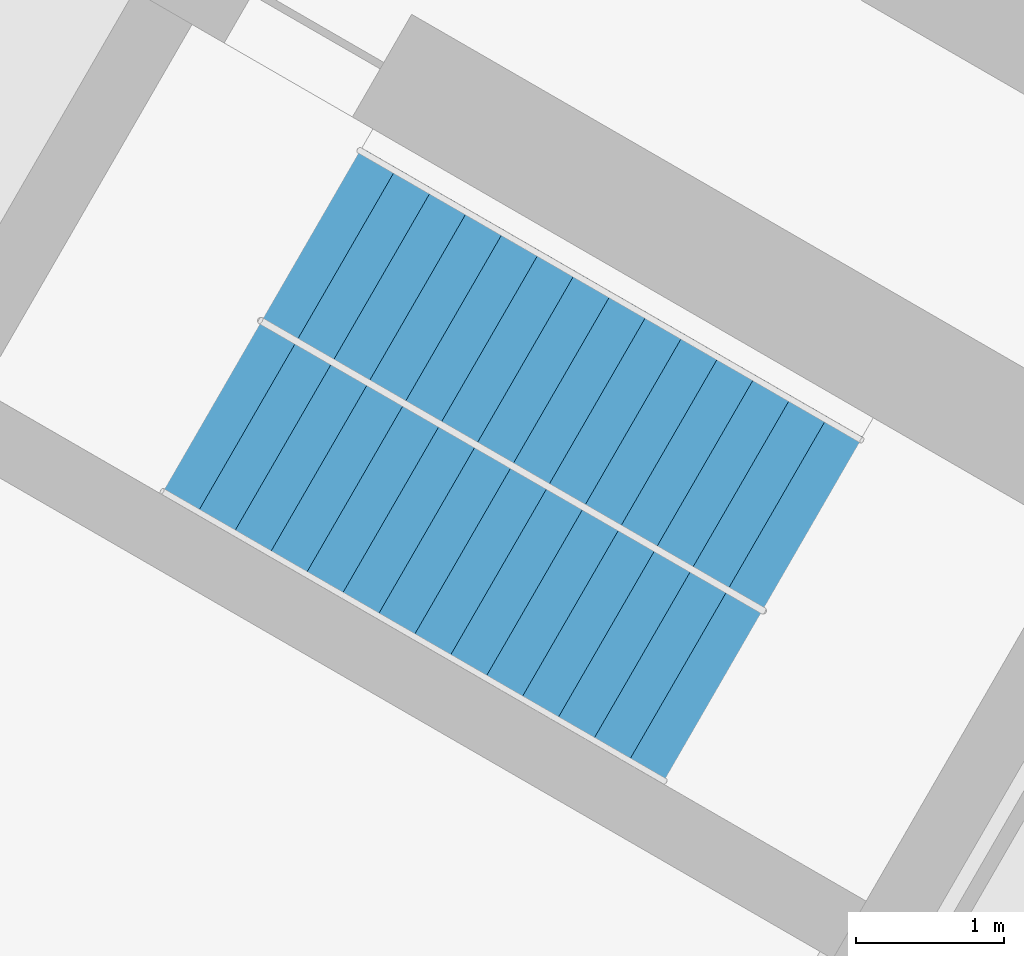
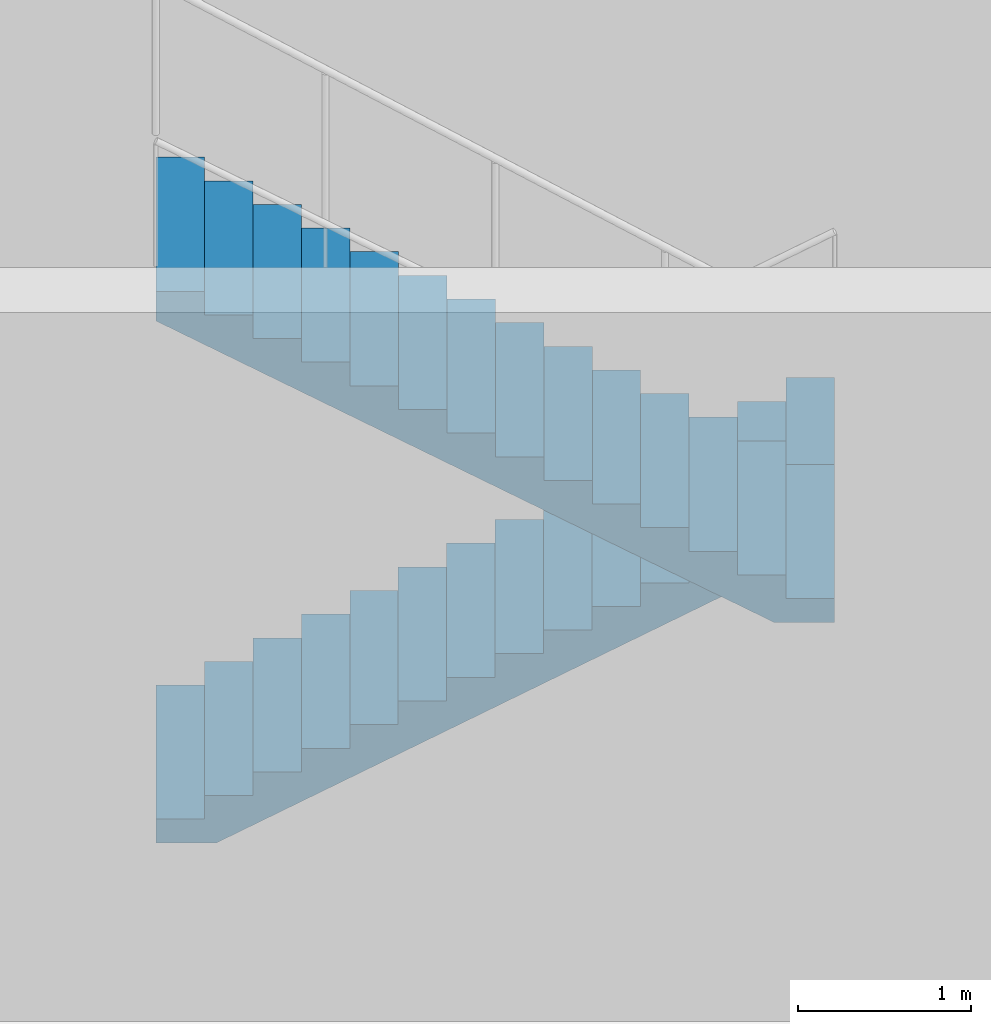
# One storey, part 33 of 34: 2 stair flights, 1 element without a shape of its own.
"""IFC4 building model written with IfcOpenShell, lengths in metres."""

from ifc_helpers import new_model, si_unit, direction, frame, origin, place, context, subcontext, project, spatial, polyline, outline, extrude, material, type_object, element, aggregate, save


model = new_model("IFC4")

# Units and contexts
model_context = context("Model", 3, precision=1e-05, world=origin(), true_north=direction((0.0, 1.0)))
body_context = subcontext(model_context, "Body", "Model", "MODEL_VIEW")
ifc_project = project(units=[si_unit("LENGTHUNIT", "METRE"), si_unit("AREAUNIT", "SQUARE_METRE"), si_unit("VOLUMEUNIT", "CUBIC_METRE"), si_unit("PLANEANGLEUNIT", "RADIAN"), si_unit("MASSUNIT", "GRAM", prefix="KILO")], contexts=[model_context])

# Site, building, storey
site_placement = place(None, origin())
site = spatial("IfcSite", under=ifc_project, at=site_placement, CompositionType="ELEMENT")
building_placement = place(site_placement, origin())
building = spatial("IfcBuilding", under=site, at=building_placement, Name="Impinga Residences", CompositionType="ELEMENT")
storey_placement = place(building_placement, frame((0.0, 0.0, 16.0)))
storey = spatial("IfcBuildingStorey", under=building, at=storey_placement, Name="L03", CompositionType="ELEMENT", Elevation=16.0)

# Stair, stair flights
ifc_material = material(Name="Concrete C40/50", Category="concrete")
stair_type = type_object("IfcStairType", Name="STR wing stair 5000 storey, 30 risers", PredefinedType="HALF_TURN_STAIR", material=ifc_material)
stair_placement = place(storey_placement, origin())
stair = element("IfcStair", 1, at=stair_placement, inside=storey, type_object=stair_type, Name="Stair WS3 L03", PredefinedType="HALF_TURN_STAIR")
stair_flight_type = type_object("IfcStairFlightType", Name="SF 15 risers of 167", PredefinedType="STRAIGHT", material=ifc_material)
stair_flight_1_placement = place(storey_placement, frame((17.953857421875, -13.165771484375, 0.0), z_axis=(0.0, 0.0, 1.0), x_axis=(0.866025403784, -0.5, 0.0)))
stair_flight_1 = element("IfcStairFlight", 2, at=stair_flight_1_placement, type_object=stair_flight_type, Name="WS3 flight 1", NumberOfRisers=15, NumberOfTreads=14, PredefinedType="STRAIGHT", RiserHeight=0.166666667, TreadLength=0.28, context=body_context, shape_type="SweptSolid", body=[
    extrude(outline(polyline([(0.0, 0.0), (0.0, 0.166748046875), (0.280029296875, 0.166748046875), (0.280029296875, 0.333251953125), (0.56005859375, 0.333251953125), (0.56005859375, 0.5), (0.840087890625, 0.5), (0.840087890625, 0.666748046875), (1.1201171875, 0.666748046875), (1.1201171875, 0.833251953125), (1.39990234375, 0.833251953125), (1.39990234375, 1.0), (1.679931640625, 1.0), (1.679931640625, 1.166748046875), (1.9599609375, 1.166748046875), (1.9599609375, 1.333251953125), (2.239990234375, 1.333251953125), (2.239990234375, 1.5), (2.52001953125, 1.5), (2.52001953125, 1.666748046875), (2.800048828125, 1.666748046875), (2.800048828125, 1.833251953125), (3.080078125, 1.833251953125), (3.080078125, 2.0), (3.360107421875, 2.0), (3.360107421875, 2.166748046875), (3.639892578125, 2.166748046875), (3.639892578125, 2.333251953125), (3.919921875, 2.333251953125), (3.919921875, 2.5), (3.919921875, 2.1240234375), (0.351806640625, 0.0), (0.0, 0.0)])), frame((0.0, 0.675048828125, 0.0), z_axis=(0.0, -1.0, 0.0), x_axis=(1.0, 0.0, 0.0)), (0.0, 0.0, 1.0), 1.35009765625),
])
stair_flight_2_placement = place(storey_placement, frame((20.673828125, -16.294921875, 2.5), z_axis=(0.0, 0.0, 1.0), x_axis=(-0.866025403784, 0.5, 0.0)))
stair_flight_2 = element("IfcStairFlight", 3, at=stair_flight_2_placement, type_object=stair_flight_type, Name="WS3 flight 2", NumberOfRisers=15, NumberOfTreads=14, PredefinedType="STRAIGHT", RiserHeight=0.166666667, TreadLength=0.28, context=body_context, shape_type="SweptSolid", body=[
    extrude(outline(polyline([(0.0, 0.0), (0.0, 0.166748046875), (0.280029296875, 0.166748046875), (0.280029296875, 0.333251953125), (0.56005859375, 0.333251953125), (0.56005859375, 0.5), (0.840087890625, 0.5), (0.840087890625, 0.666748046875), (1.1201171875, 0.666748046875), (1.1201171875, 0.833251953125), (1.39990234375, 0.833251953125), (1.39990234375, 1.0), (1.679931640625, 1.0), (1.679931640625, 1.166748046875), (1.9599609375, 1.166748046875), (1.9599609375, 1.333251953125), (2.239990234375, 1.333251953125), (2.239990234375, 1.5), (2.52001953125, 1.5), (2.52001953125, 1.666748046875), (2.800048828125, 1.666748046875), (2.800048828125, 1.833251953125), (3.080078125, 1.833251953125), (3.080078125, 2.0), (3.360107421875, 2.0), (3.360107421875, 2.166748046875), (3.639892578125, 2.166748046875), (3.639892578125, 2.333251953125), (3.919921875, 2.333251953125), (3.919921875, 2.5), (3.919921875, 2.1240234375), (0.351806640625, 0.0), (0.0, 0.0)])), frame((0.0, 0.675048828125, 0.0), z_axis=(0.0, -1.0, 0.0), x_axis=(1.0, 0.0, 0.0)), (0.0, 0.0, 1.0), 1.35009765625),
])
aggregate(stair, [stair_flight_1, stair_flight_2])

save(model, "model.ifc")
